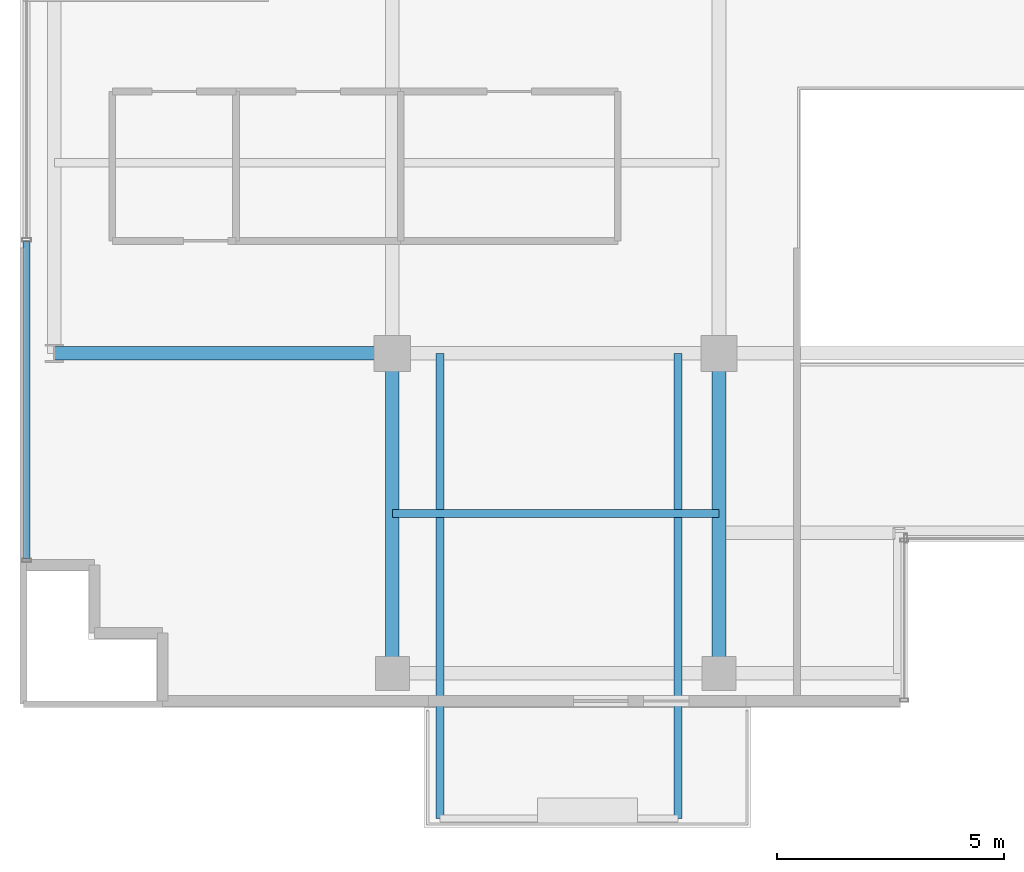
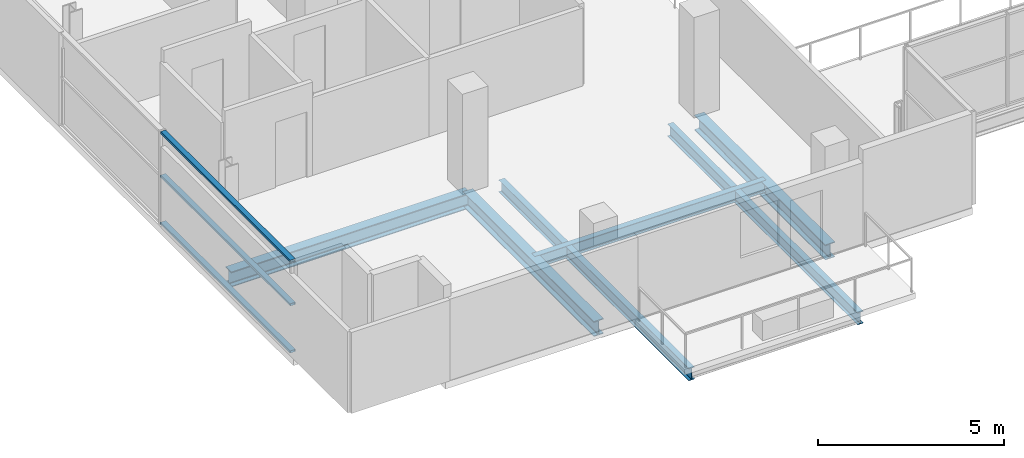
# One storey, part 3 of 21: 6 beams, 3 members, 1 element without a shape of its own.
"""IFC4 building model written with IfcOpenShell, lengths in metres."""

from ifc_helpers import new_model, si_unit, direction, frame, origin, origin_2d, place, context, subcontext, project, spatial, hollow_rectangle, i_section, extrude, source, transform, mapped, material, layer, layer_set, material_profile, profile_set, type_object, element, aggregate, save


model = new_model("IFC4")

# Units and contexts
model_context = context("Model", 3, precision=1e-05, world=origin(), true_north=direction((0.0, 1.0)))
body_context = subcontext(model_context, "Body", "Model", "MODEL_VIEW")
ifc_project = project(units=[si_unit("LENGTHUNIT", "METRE"), si_unit("AREAUNIT", "SQUARE_METRE"), si_unit("VOLUMEUNIT", "CUBIC_METRE"), si_unit("PLANEANGLEUNIT", "RADIAN"), si_unit("MASSUNIT", "GRAM", prefix="KILO")], contexts=[model_context])

# Site, building, storey
site_placement = place(None, origin())
site = spatial("IfcSite", under=ifc_project, at=site_placement, CompositionType="ELEMENT")
building_placement = place(site_placement, origin())
building = spatial("IfcBuilding", under=site, at=building_placement, Name="Zarnakvel Exchange Tower", CompositionType="ELEMENT")
storey_placement = place(building_placement, frame((0.0, 0.0, 182.5)))
storey = spatial("IfcBuildingStorey", under=building, at=storey_placement, Name="L51", CompositionType="ELEMENT", Elevation=182.5)

# Beams
ifc_material_1 = material(Name="Steel S355", Category="steel")
ifc_material_profile_1 = material_profile(ifc_material_1, i_section(OverallWidth=0.179931640625, OverallDepth=0.39990234375, WebThickness=0.008544921875, FlangeThickness=0.013427734375, FilletRadius=0.02099609375, at=origin_2d()))
ifc_profile_set_1 = profile_set([ifc_material_profile_1], Name="Steel S355")
beam_type_1 = type_object("IfcBeamType", Name="B-06", PredefinedType="JOIST", material=ifc_profile_set_1)
beam_1_placement = place(storey_placement, frame((-14.39990234375, -13.125, -0.425048828125), z_axis=(1.0, 0.0, 0.0), x_axis=(0.0, 1.0, 0.0)))
element("IfcBeam", 1, at=beam_1_placement, inside=storey, type_object=beam_type_1, Name="L51 Composite Floor Secondary Joist", PredefinedType="JOIST", context=body_context, shape_type="SweptSolid", body=[
    extrude(i_section(OverallWidth=0.179931640625, OverallDepth=0.39990234375, WebThickness=0.008544921875, FlangeThickness=0.013427734375, FilletRadius=0.02099609375, at=origin_2d()), origin(), (0.0, 0.0, 1.0), 7.199951171875),
])
for number, where, z_axis, x_axis, name in (
    (2, (-13.35009765625, -9.60009765625, -0.425048828125), (0.0, -1.0, 0.0), (1.0, 0.0, 0.0), "L51 Continuous Back-Spanned Balcony Beam W"),
    (3, (-8.10009765625, -9.60009765625, -0.425048828125), (0.0, -1.0, 0.0), (1.0, 0.0, 0.0), "L51 Continuous Back-Spanned Balcony Beam E"),
):
    element("IfcBeam", number, at=place(storey_placement, frame(where, z_axis=z_axis, x_axis=x_axis)), inside=storey, type_object=beam_type_1, Name=name, PredefinedType="JOIST", context=body_context, shape_type="SweptSolid", body=[
        extrude(i_section(OverallWidth=0.179931640625, OverallDepth=0.39990234375, WebThickness=0.008544921875, FlangeThickness=0.013427734375, FilletRadius=0.02099609375, at=origin_2d()), origin(), (0.0, 0.0, 1.0), 10.25),
    ])
ifc_material_profile_2 = material_profile(ifc_material_1, i_section(OverallWidth=0.300048828125, OverallDepth=0.5, WebThickness=0.014404296875, FlangeThickness=0.028076171875, FilletRadius=0.027099609375, at=origin_2d()))
ifc_profile_set_2 = profile_set([ifc_material_profile_2], Name="Steel S355")
beam_type_2 = type_object("IfcBeamType", Name="G-06", PredefinedType="BEAM", material=ifc_profile_set_2)
beam_2_placement = place(storey_placement, frame((-21.85009765625, -9.60009765625, -0.47509765625), z_axis=(1.0, 0.0, 0.0), x_axis=(0.0, 1.0, 0.0)))
element("IfcBeam", 4, at=beam_2_placement, inside=storey, type_object=beam_type_2, Name="L51 Tower E-W Frame Beam", PredefinedType="BEAM", context=body_context, shape_type="SweptSolid", body=[
    extrude(i_section(OverallWidth=0.300048828125, OverallDepth=0.5, WebThickness=0.014404296875, FlangeThickness=0.028076171875, FilletRadius=0.027099609375, at=origin_2d()), origin(), (0.0, 0.0, 1.0), 7.4501953125),
])
for number, where, z_axis, x_axis, name in (
    (5, (-14.39990234375, -16.64990234375, -0.47509765625), (0.0, 1.0, 0.0), (-1.0, 0.0, 0.0), "L51 Tower N-S Frame Beam"),
    (6, (-7.199951171875, -16.64990234375, -0.47509765625), (0.0, 1.0, 0.0), (-1.0, 0.0, 0.0), "L51 Tower N-S Frame Beam"),
):
    element("IfcBeam", number, at=place(storey_placement, frame(where, z_axis=z_axis, x_axis=x_axis)), inside=storey, type_object=beam_type_2, Name=name, PredefinedType="BEAM", context=body_context, shape_type="SweptSolid", body=[
        extrude(i_section(OverallWidth=0.300048828125, OverallDepth=0.5, WebThickness=0.014404296875, FlangeThickness=0.028076171875, FilletRadius=0.027099609375, at=origin_2d()), origin(), (0.0, 0.0, 1.0), 7.0498046875),
    ])

# Curtain wall, members
ifc_material_2 = material(Name="Architectural Bronze Anodised Aluminium", Category="aluminium")
ifc_layer = layer(ifc_material_2, 0.199951171875)
ifc_layer_set = layer_set([ifc_layer], Name="Architectural Bronze Anodised Aluminium")
curtain_wall_type = type_object("IfcCurtainWallType", Name="CW-04", PredefinedType="NOTDEFINED", material=ifc_layer_set)
curtain_wall_placement = place(storey_placement, origin())
curtain_wall = element("IfcCurtainWall", 7, at=curtain_wall_placement, inside=storey, type_object=curtain_wall_type, Name="L51 Curtain Wall CW-L51-W1 (CW-04)", PredefinedType="NOTDEFINED")
ifc_material_profile_3 = material_profile(ifc_material_2, hollow_rectangle(XDim=0.159912109375, YDim=0.074951171875, WallThickness=0.00390625, at=origin_2d()))
ifc_profile_set_3 = profile_set([ifc_material_profile_3], Name="Architectural Bronze Anodised Aluminium")
member_type = type_object("IfcMemberType", Name="CWT-04", PredefinedType="USERDEFINED", material=ifc_profile_set_3)
shared_shape = source(origin(), body_context, "Body", "SweptSolid", [
    extrude(hollow_rectangle(XDim=0.159912109375, YDim=0.074951171875, WallThickness=0.00390625, at=origin_2d()), origin(), (0.0, 0.0, 1.0), 6.987548828125),
])
member_1_placement = place(storey_placement, frame((-22.4599609375, -14.125, 0.03759765625), z_axis=(0.0, 1.0, 0.0), x_axis=(-1.0, 0.0, 0.0)))
member_1 = element("IfcMember", 8, at=member_1_placement, type_object=member_type, Name="CW-04 transom 1.1", ObjectType="TRANSOM", PredefinedType="USERDEFINED", context=body_context, shape_type="MappedRepresentation", body=[
    mapped(shared_shape, transform((0.0, 0.0, 0.0), x_axis=(1.0, 0.0, 0.0), y_axis=(0.0, 1.0, 0.0), z_axis=(0.0, 0.0, 1.0), scale=1.0)),
])
member_2_placement = place(storey_placement, frame((-22.4599609375, -14.125, 1.588623046875), z_axis=(0.0, 1.0, 0.0), x_axis=(-1.0, 0.0, 0.0)))
member_2 = element("IfcMember", 9, at=member_2_placement, type_object=member_type, Name="CW-04 transom 1.2", ObjectType="TRANSOM", PredefinedType="USERDEFINED", context=body_context, shape_type="MappedRepresentation", body=[
    mapped(shared_shape, transform((0.0, 0.0, 0.0), x_axis=(1.0, 0.0, 0.0), y_axis=(0.0, 1.0, 0.0), z_axis=(0.0, 0.0, 1.0), scale=1.0)),
])
member_3_placement = place(storey_placement, frame((-22.4599609375, -14.125, 3.017578125), z_axis=(0.0, 1.0, 0.0), x_axis=(-1.0, 0.0, 0.0)))
member_3 = element("IfcMember", 10, at=member_3_placement, type_object=member_type, Name="CW-04 transom 1.3", ObjectType="TRANSOM", PredefinedType="USERDEFINED", context=body_context, shape_type="MappedRepresentation", body=[
    mapped(shared_shape, transform((0.0, 0.0, 0.0), x_axis=(1.0, 0.0, 0.0), y_axis=(0.0, 1.0, 0.0), z_axis=(0.0, 0.0, 1.0), scale=1.0)),
])
aggregate(curtain_wall, [member_1, member_2, member_3])

save(model, "model.ifc")
